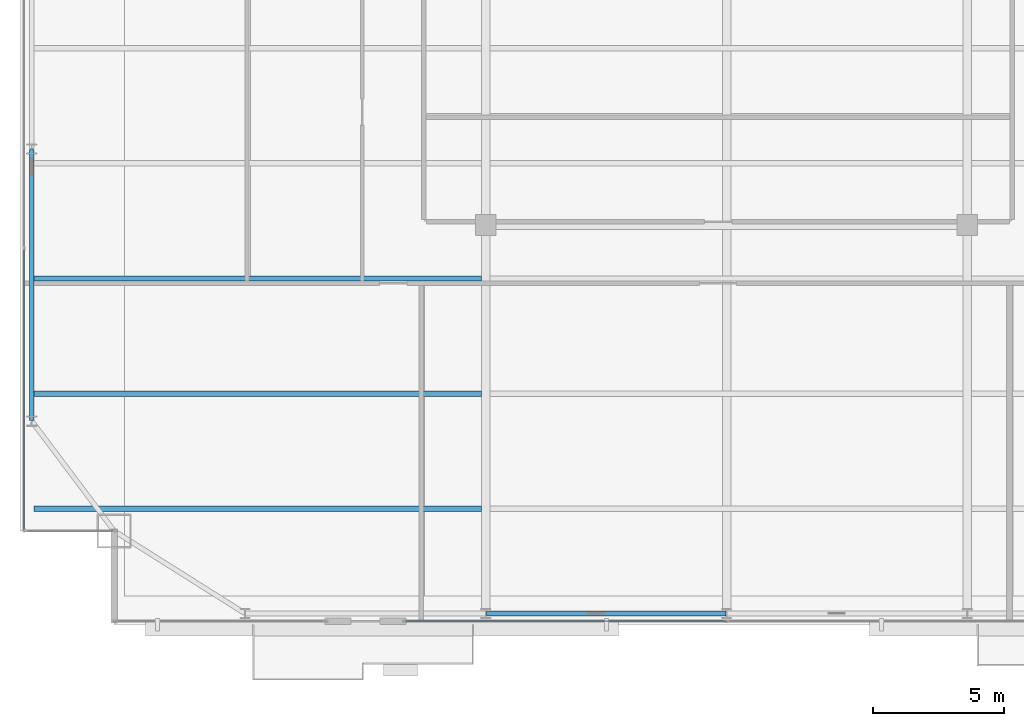
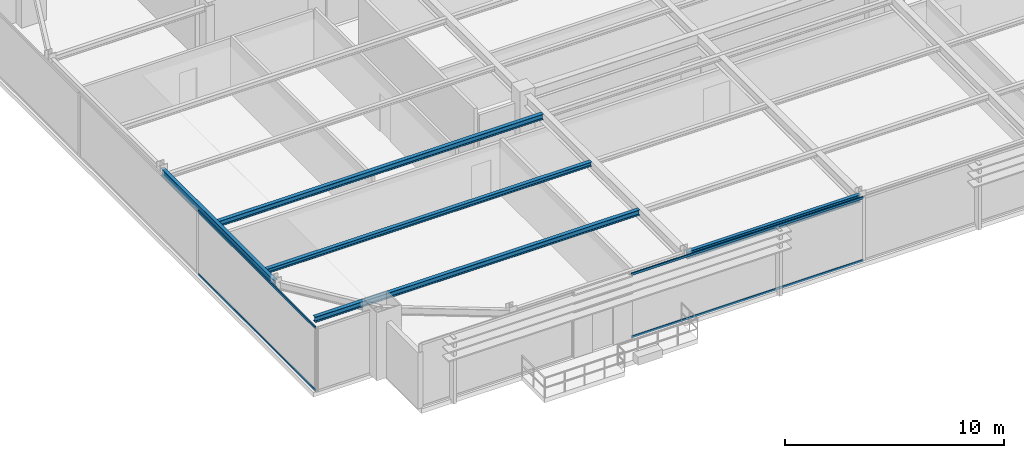
# One storey, part 7 of 31: 5 beams, 4 members, 2 elements without a shape of their own.
"""IFC4 building model written with IfcOpenShell, lengths in metres."""

from ifc_helpers import new_model, si_unit, direction, frame, origin, origin_2d, place, context, subcontext, project, spatial, hollow_rectangle, i_section, extrude, source, transform, mapped, material, layer, layer_set, material_profile, profile_set, type_object, type_shapes, element, aggregate, save


model = new_model("IFC4")

# Units and contexts
model_context = context("Model", 3, precision=1e-05, world=origin(), true_north=direction((0.0, 1.0)))
body_context = subcontext(model_context, "Body", "Model", "MODEL_VIEW")
ifc_project = project(units=[si_unit("LENGTHUNIT", "METRE"), si_unit("AREAUNIT", "SQUARE_METRE"), si_unit("VOLUMEUNIT", "CUBIC_METRE"), si_unit("PLANEANGLEUNIT", "RADIAN"), si_unit("MASSUNIT", "GRAM", prefix="KILO")], contexts=[model_context])

# Site, building, storey
site_placement = place(None, origin())
site = spatial("IfcSite", under=ifc_project, at=site_placement, CompositionType="ELEMENT")
building_placement = place(site_placement, origin())
building = spatial("IfcBuilding", under=site, at=building_placement, Name="Varnel Quay Broadcast Tower", CompositionType="ELEMENT")
storey_placement = place(building_placement, frame((0.0, 0.0, 153.39990234375)))
storey = spatial("IfcBuildingStorey", under=building, at=storey_placement, Name="L37", CompositionType="ELEMENT", Elevation=153.39990234375)

# Beams
ifc_material_1 = material(Name="Structural Steel CSA G40.21 350W", Category="steel")
ifc_material_profile_1 = material_profile(ifc_material_1, i_section(OverallWidth=0.180908203125, OverallDepth=0.4169921875, WebThickness=0.010986328125, FlangeThickness=0.018310546875, FilletRadius=0.011962890625, at=origin_2d()), Name="W410X85")
ifc_profile_set_1 = profile_set([ifc_material_profile_1], Name="Structural Steel CSA G40.21 350W")
beam_type_1 = type_object("IfcBeamType", Name="Beam_W410X85", PredefinedType="SPANDREL", material=ifc_profile_set_1)
shared_shape_1 = source(origin(), body_context, "Body", "SweptSolid", [
    extrude(i_section(OverallWidth=0.180908203125, OverallDepth=0.4169921875, WebThickness=0.010986328125, FlangeThickness=0.018310546875, FilletRadius=0.011962890625, at=origin_2d()), origin(), (0.0, 0.0, 1.0), 9.159912109375),
])
beam_1_placement = place(storey_placement, frame((24.820068359375, 7.64990234375, 3.341552734375), z_axis=(1.0, 0.0, 0.0), x_axis=(0.0, 1.0, 0.0)))
element("IfcBeam", 1, at=beam_1_placement, inside=storey, type_object=beam_type_1, Name="L37 South Spandrel TC-S2-TC-S3", PredefinedType="SPANDREL", context=body_context, shape_type="MappedRepresentation", body=[
    mapped(shared_shape_1, transform((0.0, 0.0, 0.0), x_axis=(1.0, 0.0, 0.0), y_axis=(0.0, 1.0, 0.0), z_axis=(0.0, 0.0, 1.0), scale=1.0)),
])
shared_shape_2 = source(origin(), body_context, "Body", "SweptSolid", [
    extrude(i_section(OverallWidth=0.180908203125, OverallDepth=0.4169921875, WebThickness=0.010986328125, FlangeThickness=0.018310546875, FilletRadius=0.011962890625, at=origin_2d()), origin(), (0.0, 0.0, 1.0), 10.35986328125),
])
type_shapes(beam_type_1, [shared_shape_1, shared_shape_2])
beam_2_placement = place(storey_placement, frame((7.449951171875, 15.02001953125, 3.341552734375), z_axis=(0.0, 1.0, 0.0), x_axis=(-1.0, 0.0, 0.0)))
element("IfcBeam", 2, at=beam_2_placement, inside=storey, type_object=beam_type_1, Name="L37 West Spandrel TC-W1-TC-W2", PredefinedType="SPANDREL", context=body_context, shape_type="MappedRepresentation", body=[
    mapped(shared_shape_2, transform((0.0, 0.0, 0.0), x_axis=(1.0, 0.0, 0.0), y_axis=(0.0, 1.0, 0.0), z_axis=(0.0, 0.0, 1.0), scale=1.0)),
])
ifc_material_profile_2 = material_profile(ifc_material_1, i_section(OverallWidth=0.202880859375, OverallDepth=0.302978515625, WebThickness=0.007568359375, FlangeThickness=0.01318359375, FilletRadius=0.011962890625, at=origin_2d()), Name="W310X60")
ifc_profile_set_2 = profile_set([ifc_material_profile_2], Name="Structural Steel CSA G40.21 350W")
beam_type_2 = type_object("IfcBeamType", Name="Beam_W310X60", PredefinedType="JOIST", material=ifc_profile_set_2)
shared_shape_3 = source(origin(), body_context, "Body", "SweptSolid", [
    extrude(i_section(OverallWidth=0.202880859375, OverallDepth=0.302978515625, WebThickness=0.007568359375, FlangeThickness=0.01318359375, FilletRadius=0.011962890625, at=origin_2d()), origin(), (0.0, 0.0, 1.0), 17.107177734375),
])
type_shapes(beam_type_2, [shared_shape_3])
for number, where, z_axis, x_axis, name in (
    (3, (7.535400390625, 11.64990234375, 3.398681640625), (1.0, 0.0, 0.0), (0.0, 1.0, 0.0), "L37 West Floor Joist 1"),
    (4, (7.535400390625, 20.449951171875, 3.398681640625), (1.0, 0.0, 0.0), (0.0, 1.0, 0.0), "L37 West Floor Joist 3"),
):
    element("IfcBeam", number, at=place(storey_placement, frame(where, z_axis=z_axis, x_axis=x_axis)), inside=storey, type_object=beam_type_2, Name=name, PredefinedType="JOIST", context=body_context, shape_type="MappedRepresentation", body=[
        mapped(shared_shape_3, transform((0.0, 0.0, 0.0), x_axis=(1.0, 0.0, 0.0), y_axis=(0.0, 1.0, 0.0), z_axis=(0.0, 0.0, 1.0), scale=1.0)),
    ])
ifc_material_profile_3 = material_profile(ifc_material_1, i_section(OverallWidth=0.201904296875, OverallDepth=0.2470703125, WebThickness=0.00732421875, FlangeThickness=0.010986328125, FilletRadius=0.010986328125, at=origin_2d()), Name="W250X49")
ifc_profile_set_3 = profile_set([ifc_material_profile_3], Name="Structural Steel CSA G40.21 350W")
beam_type_3 = type_object("IfcBeamType", Name="Beam_W250X49", PredefinedType="JOIST", material=ifc_profile_set_3)
shared_shape_4 = source(origin(), body_context, "Body", "SweptSolid", [
    extrude(i_section(OverallWidth=0.201904296875, OverallDepth=0.2470703125, WebThickness=0.00732421875, FlangeThickness=0.010986328125, FilletRadius=0.010986328125, at=origin_2d()), origin(), (0.0, 0.0, 1.0), 17.107177734375),
])
type_shapes(beam_type_3, [shared_shape_4])
beam_3_placement = place(storey_placement, frame((7.535400390625, 16.050048828125, 3.426513671875), z_axis=(1.0, 0.0, 0.0), x_axis=(0.0, 1.0, 0.0)))
element("IfcBeam", 5, at=beam_3_placement, inside=storey, type_object=beam_type_3, Name="L37 West Floor Joist 2", PredefinedType="JOIST", context=body_context, shape_type="MappedRepresentation", body=[
    mapped(shared_shape_4, transform((0.0, 0.0, 0.0), x_axis=(1.0, 0.0, 0.0), y_axis=(0.0, 1.0, 0.0), z_axis=(0.0, 0.0, 1.0), scale=1.0)),
])

# Curtain wall, members
ifc_material_2 = material(Name="Anodised Bronze Aluminium 6063-T6", Category="aluminium")
ifc_layer = layer(ifc_material_2, 0.18994140625, Name="Anodised Bronze Aluminium 6063-T6")
ifc_layer_set = layer_set([ifc_layer], Name="Anodised Bronze Aluminium 6063-T6")
curtain_wall_type = type_object("IfcCurtainWallType", Name="CW_UpperTower", PredefinedType="NOTDEFINED", material=ifc_layer_set)
curtain_wall_1_placement = place(storey_placement, origin())
curtain_wall_1 = element("IfcCurtainWall", 6, at=curtain_wall_1_placement, inside=storey, type_object=curtain_wall_type, Name="L37 West Unitised Curtain Wall", PredefinedType="NOTDEFINED")
ifc_material_profile_4 = material_profile(ifc_material_2, hollow_rectangle(XDim=0.06005859375, YDim=0.125, WallThickness=0.0029296875, at=origin_2d()), Name="ALU60X125X3")
ifc_profile_set_4 = profile_set([ifc_material_profile_4], Name="Anodised Bronze Aluminium 6063-T6")
member_type = type_object("IfcMemberType", Name="Tran_CWS-03", PredefinedType="USERDEFINED", material=ifc_profile_set_4)
shared_shape_5 = source(origin(), body_context, "Body", "SweptSolid", [
    extrude(hollow_rectangle(XDim=0.06005859375, YDim=0.125, WallThickness=0.0029296875, at=origin_2d()), origin(), (0.0, 0.0, 1.0), 10.702392578125),
])
member_1_placement = place(storey_placement, frame((7.14990234375, 10.864990234375, 0.030029296875), z_axis=(0.0, 1.0, 0.0), x_axis=(-1.0, 0.0, 0.0)))
member_1 = element("IfcMember", 7, at=member_1_placement, type_object=member_type, Name="CWS-03 transom 1.1", ObjectType="TRANSOM", PredefinedType="USERDEFINED", context=body_context, shape_type="MappedRepresentation", body=[
    mapped(shared_shape_5, transform((0.0, 0.0, 0.0), x_axis=(1.0, 0.0, 0.0), y_axis=(0.0, 1.0, 0.0), z_axis=(0.0, 0.0, 1.0), scale=1.0)),
])
member_2_placement = place(storey_placement, frame((7.14990234375, 10.864990234375, 3.52001953125), z_axis=(0.0, 1.0, 0.0), x_axis=(-1.0, 0.0, 0.0)))
member_2 = element("IfcMember", 8, at=member_2_placement, type_object=member_type, Name="CWS-03 transom 1.2", ObjectType="TRANSOM", PredefinedType="USERDEFINED", context=body_context, shape_type="MappedRepresentation", body=[
    mapped(shared_shape_5, transform((0.0, 0.0, 0.0), x_axis=(1.0, 0.0, 0.0), y_axis=(0.0, 1.0, 0.0), z_axis=(0.0, 0.0, 1.0), scale=1.0)),
])
aggregate(curtain_wall_1, [member_1, member_2])

curtain_wall_2_placement = place(storey_placement, origin())
curtain_wall_2 = element("IfcCurtainWall", 9, at=curtain_wall_2_placement, inside=storey, type_object=curtain_wall_type, Name="L37 South Unitised Curtain Wall 2", PredefinedType="NOTDEFINED")
shared_shape_6 = source(origin(), body_context, "Body", "SweptSolid", [
    extrude(hollow_rectangle(XDim=0.06005859375, YDim=0.125, WallThickness=0.0029296875, at=origin_2d()), origin(), (0.0, 0.0, 1.0), 12.222412109375),
])
type_shapes(member_type, [shared_shape_5, shared_shape_6])
member_3_placement = place(storey_placement, frame((21.7451171875, 7.35009765625, 0.030029296875), z_axis=(1.0, 0.0, 0.0), x_axis=(0.0, 1.0, 0.0)))
member_3 = element("IfcMember", 10, at=member_3_placement, type_object=member_type, Name="CWS-03 transom 1.1", ObjectType="TRANSOM", PredefinedType="USERDEFINED", context=body_context, shape_type="MappedRepresentation", body=[
    mapped(shared_shape_6, transform((0.0, 0.0, 0.0), x_axis=(1.0, 0.0, 0.0), y_axis=(0.0, 1.0, 0.0), z_axis=(0.0, 0.0, 1.0), scale=1.0)),
])
member_4_placement = place(storey_placement, frame((21.7451171875, 7.35009765625, 3.52001953125), z_axis=(1.0, 0.0, 0.0), x_axis=(0.0, 1.0, 0.0)))
member_4 = element("IfcMember", 11, at=member_4_placement, type_object=member_type, Name="CWS-03 transom 1.2", ObjectType="TRANSOM", PredefinedType="USERDEFINED", context=body_context, shape_type="MappedRepresentation", body=[
    mapped(shared_shape_6, transform((0.0, 0.0, 0.0), x_axis=(1.0, 0.0, 0.0), y_axis=(0.0, 1.0, 0.0), z_axis=(0.0, 0.0, 1.0), scale=1.0)),
])
aggregate(curtain_wall_2, [member_3, member_4])

save(model, "model.ifc")
